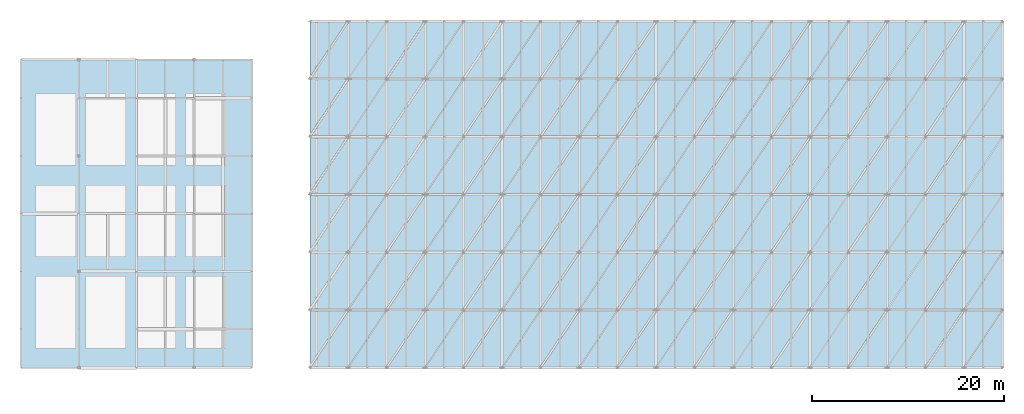
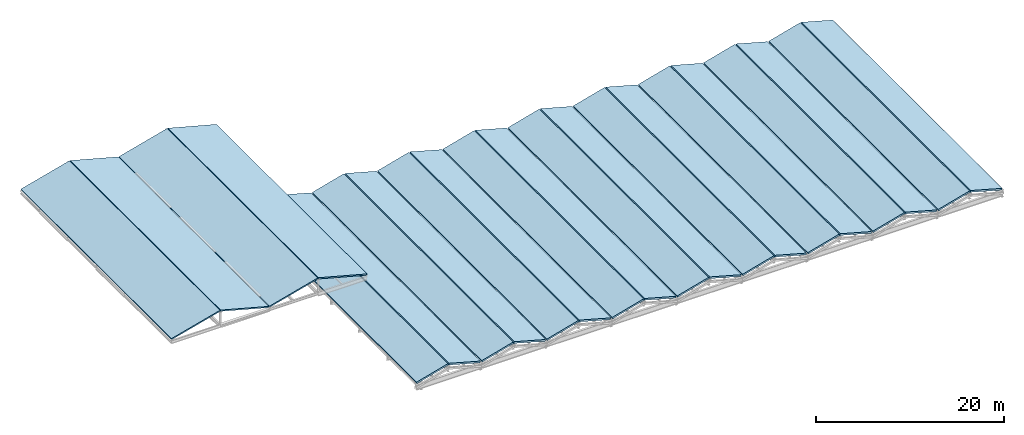
# One storey, part 7 of 27: 22 slabs.
"""IFC4 building model written with IfcOpenShell, lengths in metres."""

from ifc_helpers import new_model, si_unit, direction, frame, origin, place, context, subcontext, project, spatial, polyline, outline, extrude, material, layer, layer_set, type_object, element, save


model = new_model("IFC4")

# Units and contexts
model_context = context("Model", 3, precision=1e-05, world=origin(), true_north=direction((0.0, 1.0)))
body_context = subcontext(model_context, "Body", "Model", "MODEL_VIEW")
ifc_project = project(units=[si_unit("LENGTHUNIT", "METRE"), si_unit("AREAUNIT", "SQUARE_METRE"), si_unit("VOLUMEUNIT", "CUBIC_METRE"), si_unit("PLANEANGLEUNIT", "RADIAN"), si_unit("MASSUNIT", "GRAM", prefix="KILO")], contexts=[model_context])

# Site, building, storey
site_placement = place(None, origin())
site = spatial("IfcSite", under=ifc_project, at=site_placement, CompositionType="ELEMENT")
building_placement = place(site_placement, origin())
building = spatial("IfcBuilding", under=site, at=building_placement, Name="Verrall Gate Interchange", CompositionType="ELEMENT")
storey_placement = place(building_placement, frame((0.0, 0.0, 32.800048828125)))
storey = spatial("IfcBuildingStorey", under=building, at=storey_placement, Name="RF", CompositionType="ELEMENT", Elevation=32.800048828125)

# Slabs
ifc_material_1 = material(Name="Concrete CSA A23.1 40 MPa (Class C-1)", Category="concrete")
ifc_layer_1 = layer(ifc_material_1, 0.219970703125)
ifc_layer_set_1 = layer_set([ifc_layer_1], Name="Concrete CSA A23.1 40 MPa (Class C-1)")
slab_type_1 = type_object("IfcSlabType", Name="RS-01 Roof Slab 220", PredefinedType="ROOF", material=ifc_layer_set_1)
for number, where, z_axis, x_axis, name in (
    (1, (36.070068359375, 12.0, -16.1806640625), (-0.26511395786, 0.0, 0.964217086214), (0.964217086214, 0.0, 0.26511395786), "Concourse Folded-Plate Roof Facet RF-FP-01"),
    (2, (40.070068359375, 12.0, -15.119384765625), (0.26511395786, 0.0, 0.964217086214), (0.964217086214, 0.0, -0.26511395786), "Concourse Folded-Plate Roof Facet RF-FP-02"),
    (3, (44.070068359375, 12.0, -16.1806640625), (-0.26511395786, 0.0, 0.964217086214), (0.964217086214, 0.0, 0.26511395786), "Concourse Folded-Plate Roof Facet RF-FP-03"),
    (4, (48.070068359375, 12.0, -15.119384765625), (0.26511395786, 0.0, 0.964217086214), (0.964217086214, 0.0, -0.26511395786), "Concourse Folded-Plate Roof Facet RF-FP-04"),
    (5, (52.070068359375, 12.0, -16.1806640625), (-0.26511395786, 0.0, 0.964217086214), (0.964217086214, 0.0, 0.26511395786), "Concourse Folded-Plate Roof Facet RF-FP-05"),
    (6, (56.070068359375, 12.0, -15.119384765625), (0.26511395786, 0.0, 0.964217086214), (0.964217086214, 0.0, -0.26511395786), "Concourse Folded-Plate Roof Facet RF-FP-06"),
    (7, (60.070068359375, 12.0, -16.1806640625), (-0.26511395786, 0.0, 0.964217086214), (0.964217086214, 0.0, 0.26511395786), "Concourse Folded-Plate Roof Facet RF-FP-07"),
    (8, (64.070068359375, 12.0, -15.119384765625), (0.26511395786, 0.0, 0.964217086214), (0.964217086214, 0.0, -0.26511395786), "Concourse Folded-Plate Roof Facet RF-FP-08"),
    (9, (68.070068359375, 12.0, -16.1806640625), (-0.26511395786, 0.0, 0.964217086214), (0.964217086214, 0.0, 0.26511395786), "Concourse Folded-Plate Roof Facet RF-FP-09"),
    (10, (72.070068359375, 12.0, -15.119384765625), (0.26511395786, 0.0, 0.964217086214), (0.964217086214, 0.0, -0.26511395786), "Concourse Folded-Plate Roof Facet RF-FP-10"),
    (11, (76.070068359375, 12.0, -16.1806640625), (-0.26511395786, 0.0, 0.964217086214), (0.964217086214, 0.0, 0.26511395786), "Concourse Folded-Plate Roof Facet RF-FP-11"),
    (12, (80.070068359375, 12.0, -15.119384765625), (0.26511395786, 0.0, 0.964217086214), (0.964217086214, 0.0, -0.26511395786), "Concourse Folded-Plate Roof Facet RF-FP-12"),
    (13, (84.070068359375, 12.0, -16.1806640625), (-0.26511395786, 0.0, 0.964217086214), (0.964217086214, 0.0, 0.26511395786), "Concourse Folded-Plate Roof Facet RF-FP-13"),
    (14, (88.070068359375, 12.0, -15.119384765625), (0.26511395786, 0.0, 0.964217086214), (0.964217086214, 0.0, -0.26511395786), "Concourse Folded-Plate Roof Facet RF-FP-14"),
    (15, (92.070068359375, 12.0, -16.1806640625), (-0.26511395786, 0.0, 0.964217086214), (0.964217086214, 0.0, 0.26511395786), "Concourse Folded-Plate Roof Facet RF-FP-15"),
    (16, (96.070068359375, 12.0, -15.119384765625), (0.26511395786, 0.0, 0.964217086214), (0.964217086214, 0.0, -0.26511395786), "Concourse Folded-Plate Roof Facet RF-FP-16"),
    (17, (100.070068359375, 12.0, -16.1806640625), (-0.26511395786, 0.0, 0.964217086214), (0.964217086214, 0.0, 0.26511395786), "Concourse Folded-Plate Roof Facet RF-FP-17"),
    (18, (104.070068359375, 12.0, -15.119384765625), (0.26511395786, 0.0, 0.964217086214), (0.964217086214, 0.0, -0.26511395786), "Concourse Folded-Plate Roof Facet RF-FP-18"),
):
    element("IfcSlab", number, at=place(storey_placement, frame(where, z_axis=z_axis, x_axis=x_axis)), inside=storey, type_object=slab_type_1, Name=name, PredefinedType="ROOF", context=body_context, shape_type="SweptSolid", body=[
        extrude(outline(polyline([(0.0, 0.0), (4.003106081022274, 0.0), (4.003106081022274, 36.00000000000001), (0.0, 36.00000000000001), (0.0, 0.0)])), origin(), (0.0, 0.0, -1.0), 0.219970703125),
    ])
ifc_material_2 = material(Name="Concrete CSA A23.1 40 MPa (Class C-1)", Category="concrete")
ifc_layer_2 = layer(ifc_material_2, 0.159912109375)
ifc_layer_set_2 = layer_set([ifc_layer_2], Name="Concrete CSA A23.1 40 MPa (Class C-1)")
slab_type_2 = type_object("IfcSlabType", Name="RS-03 Roof Slab 160", PredefinedType="ROOF", material=ifc_layer_set_2)
slab_1_placement = place(storey_placement, frame((6.0, 12.0, 0.0), z_axis=(-0.257741480174, 0.0, 0.966213914927), x_axis=(0.966213914927, 0.0, 0.257741480174)))
element("IfcSlab", 19, at=slab_1_placement, inside=storey, type_object=slab_type_2, Name="Pitched Standing-Seam Roof Slab RF-CRN-1W", PredefinedType="ROOF", context=body_context, shape_type="SweptSolid", body=[
    extrude(outline(polyline([(0.0, 0.0), (6.1683658716016465, 0.0), (6.1683658716016465, 32.0), (0.0, 32.0), (0.0, 0.0)])), origin(), (0.0, 0.0, -1.0), 0.159912109375),
])
for number, where, z_axis, x_axis, name in (
    (20, (12.0400390625, 12.0, 1.58984375), (0.259367798616, 0.0, 0.965778621135), (0.965778621135, 0.0, -0.259367798616), "Pitched Standing-Seam Roof Slab RF-CRN-1E"),
    (21, (18.0400390625, 12.0, 0.0), (-0.259367798616, 0.0, 0.965778621135), (0.965778621135, 0.0, 0.259367798616), "Pitched Standing-Seam Roof Slab RF-CRN-2W"),
):
    element("IfcSlab", number, at=place(storey_placement, frame(where, z_axis=z_axis, x_axis=x_axis)), inside=storey, type_object=slab_type_2, Name=name, PredefinedType="ROOF", context=body_context, shape_type="SweptSolid", body=[
        extrude(outline(polyline([(0.0, 0.0), (6.129688259244314, 0.0), (6.129688259244314, 32.0), (0.0, 32.0), (0.0, 0.0)])), origin(), (0.0, 0.0, -1.0), 0.159912109375),
    ])
slab_2_placement = place(storey_placement, frame((24.0400390625, 12.0, 1.58984375), z_axis=(0.257741480174, 0.0, 0.966213914927), x_axis=(0.966213914927, 0.0, -0.257741480174)))
element("IfcSlab", 22, at=slab_2_placement, inside=storey, type_object=slab_type_2, Name="Pitched Standing-Seam Roof Slab RF-CRN-2E", PredefinedType="ROOF", context=body_context, shape_type="SweptSolid", body=[
    extrude(outline(polyline([(0.0, 0.0), (6.1683658716016465, 0.0), (6.1683658716016465, 32.0), (0.0, 32.0), (0.0, 0.0)])), origin(), (0.0, 0.0, -1.0), 0.159912109375),
])

save(model, "model.ifc")
